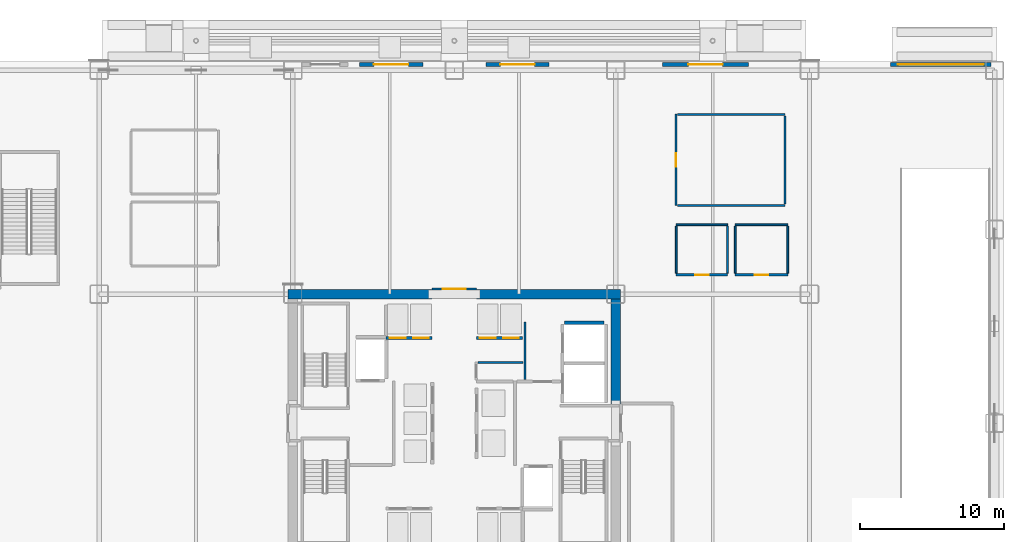
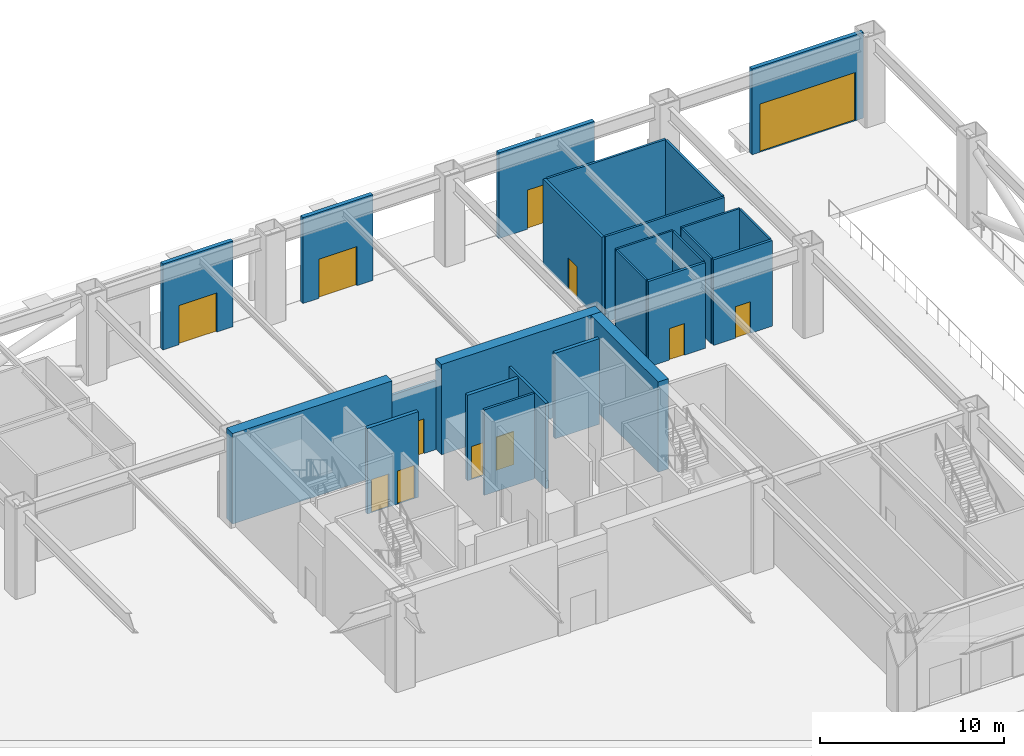
# One storey, part 11 of 17: 25 walls, 12 doors, 12 openings.
"""IFC4 building model written with IfcOpenShell, lengths in metres."""

from ifc_helpers import new_model, si_unit, direction, frame, frame_2d, origin, place, context, subcontext, project, spatial, rectangle, extrude, source, transform, mapped, material, layer, layer_set, type_object, element, fill, save


model = new_model("IFC4")

# Units and contexts
model_context = context("Model", 3, precision=1e-05, world=origin(), true_north=direction((0.0, 1.0)))
body_context = subcontext(model_context, "Body", "Model", "MODEL_VIEW")
ifc_project = project(units=[si_unit("LENGTHUNIT", "METRE"), si_unit("AREAUNIT", "SQUARE_METRE"), si_unit("VOLUMEUNIT", "CUBIC_METRE"), si_unit("PLANEANGLEUNIT", "RADIAN"), si_unit("MASSUNIT", "GRAM", prefix="KILO")], contexts=[model_context])

# Site, building, storey
site_placement = place(None, origin())
site = spatial("IfcSite", under=ifc_project, at=site_placement, CompositionType="ELEMENT")
building_placement = place(site_placement, origin())
building = spatial("IfcBuilding", under=site, at=building_placement, Name="Nefas-Gora Pilgrimage Tower", CompositionType="ELEMENT")
storey_placement = place(building_placement, origin())
storey = spatial("IfcBuildingStorey", under=building, at=storey_placement, Name="L00", CompositionType="ELEMENT", Elevation=0.0)

# Walls
ifc_material_1 = material(Name="Concrete C60/75", Category="concrete")
ifc_layer_1 = layer(ifc_material_1, 0.64990234375)
ifc_layer_set_1 = layer_set([ifc_layer_1], Name="Concrete C60/75")
wall_type_1 = type_object("IfcWallType", Name="SW-CORE-650", PredefinedType="SHEAR", material=ifc_layer_set_1)
shared_shape_1 = source(origin(), body_context, "Body", "SweptSolid", [
    extrude(rectangle(XDim=10.02490234375, YDim=0.64990234375, at=frame_2d((5.012451171875, 0.0))), origin(), (0.0, 0.0, 1.0), 6.0),
])
for number, where, z_axis, x_axis, name in (
    (1, (-11.574951171875, 9.0, 0.0), (0.0, 0.0, 1.0), (1.0, 0.0, 0.0), "L00 Core Shear Wall N-West"),
    (2, (1.550048828125, 9.0, 0.0), (0.0, 0.0, 1.0), (1.0, 0.0, 0.0), "L00 Core Shear Wall N-East"),
):
    element("IfcWall", number, at=place(storey_placement, frame(where, z_axis=z_axis, x_axis=x_axis)), inside=storey, type_object=wall_type_1, Name=name, PredefinedType="SHEAR", context=body_context, shape_type="MappedRepresentation", body=[
        mapped(shared_shape_1, transform((0.0, 0.0, 0.0), x_axis=(1.0, 0.0, 0.0), y_axis=(0.0, 1.0, 0.0), z_axis=(0.0, 0.0, 1.0), scale=1.0)),
    ])
shared_shape_2 = source(origin(), body_context, "Body", "SweptSolid", [
    extrude(rectangle(XDim=7.324951171875, YDim=0.64990234375, at=frame_2d((3.66259765625, 0.0))), origin(), (0.0, 0.0, 1.0), 6.0),
])
wall_1_placement = place(storey_placement, frame((11.25, 1.35009765625, 0.0), z_axis=(0.0, 0.0, 1.0), x_axis=(0.0, 1.0, 0.0)))
element("IfcWall", 3, at=wall_1_placement, inside=storey, type_object=wall_type_1, Name="L00 Core Shear Wall E-North", PredefinedType="SHEAR", context=body_context, shape_type="MappedRepresentation", body=[
    mapped(shared_shape_2, transform((0.0, 0.0, 0.0), x_axis=(1.0, 0.0, 0.0), y_axis=(0.0, 1.0, 0.0), z_axis=(0.0, 0.0, 1.0), scale=1.0)),
])

# Wall, opening, door
ifc_material_2 = material(Name="Precast concrete C40/50", Category="concrete")
ifc_layer_2 = layer(ifc_material_2, 0.260009765625)
ifc_layer_set_2 = layer_set([ifc_layer_2], Name="Precast concrete C40/50")
wall_type_2 = type_object("IfcWallType", Name="EW-PORTAL-260", PredefinedType="SOLIDWALL", material=ifc_layer_set_2)
shared_shape_3 = source(origin(), body_context, "Body", "SweptSolid", [
    extrude(rectangle(XDim=4.400146484375, YDim=0.260009765625, at=frame_2d((2.2001953125, 0.0))), origin(), (0.0, 0.0, 1.0), 5.699951171875),
])
wall_2_placement = place(storey_placement, frame((-6.60009765625, 25.0, 0.0), z_axis=(0.0, 0.0, 1.0), x_axis=(1.0, 0.0, 0.0)))
wall_2 = element("IfcWall", 4, at=wall_2_placement, inside=storey, type_object=wall_type_2, Name="L00 Exterior Portal Wall (ED-M1)", PredefinedType="SOLIDWALL", context=body_context, shape_type="MappedRepresentation", body=[
    mapped(shared_shape_3, transform((0.0, 0.0, 0.0), x_axis=(1.0, 0.0, 0.0), y_axis=(0.0, 1.0, 0.0), z_axis=(0.0, 0.0, 1.0), scale=1.0)),
])
opening_1_placement = place(wall_2_placement, frame((1.0, 0.0, 0.0)))
opening_1 = element("IfcOpeningElement", 5, at=opening_1_placement, cuts=wall_2, Name="Opening ED-M1", PredefinedType="OPENING", context=body_context, shape_type="SweptSolid", body=[
    extrude(rectangle(XDim=2.39990234375, YDim=2.60009765625, at=frame_2d((1.199951171875, 1.300048828125))), frame((0.0, 0.139892578125, 0.0), z_axis=(0.0, -1.0, 0.0), x_axis=(1.0, 0.0, 0.0)), (0.0, 0.0, 1.0), 0.280029296875),
])
ifc_material_3 = material(Name="Thermally broken bronze-anodised aluminium and glass", Category="aluminium")
door_type_1 = type_object("IfcDoorType", Name="DR-EXT-MAIN-2400", OperationType="DOUBLE_DOOR_SINGLE_SWING", PredefinedType="DOOR", material=ifc_material_3)
shared_shape_4 = source(origin(), body_context, "Body", "SweptSolid", [
    extrude(rectangle(XDim=2.39990234375, YDim=2.60009765625, at=frame_2d((1.199951171875, 1.300048828125))), frame((0.0, 0.02490234375, 0.0), z_axis=(0.0, -1.0, 0.0), x_axis=(1.0, 0.0, 0.0)), (0.0, 0.0, 1.0), 0.050048828125),
])
door_1_placement = place(opening_1_placement, origin())
door_1 = element("IfcDoor", 6, at=door_1_placement, inside=storey, type_object=door_type_1, Name="L00 Exterior Door ED-M1 (North Arrival Plaza Main Entrance West)", OperationType="DOUBLE_DOOR_SINGLE_SWING", OverallHeight=2.60009765625, OverallWidth=2.39990234375, PredefinedType="DOOR", context=body_context, shape_type="MappedRepresentation", body=[
    mapped(shared_shape_4, transform((0.0, 0.0, 0.0), x_axis=(1.0, 0.0, 0.0), y_axis=(0.0, 1.0, 0.0), z_axis=(0.0, 0.0, 1.0), scale=1.0)),
])
fill(opening_1, door_1)

wall_3_placement = place(storey_placement, frame((2.199951171875, 25.0, 0.0), z_axis=(0.0, 0.0, 1.0), x_axis=(1.0, 0.0, 0.0)))
wall_3 = element("IfcWall", 7, at=wall_3_placement, inside=storey, type_object=wall_type_2, Name="L00 Exterior Portal Wall (ED-M1)", PredefinedType="SOLIDWALL", context=body_context, shape_type="MappedRepresentation", body=[
    mapped(shared_shape_3, transform((0.0, 0.0, 0.0), x_axis=(1.0, 0.0, 0.0), y_axis=(0.0, 1.0, 0.0), z_axis=(0.0, 0.0, 1.0), scale=1.0)),
])
opening_2_placement = place(wall_3_placement, frame((1.0, 0.0, 0.0)))
opening_2 = element("IfcOpeningElement", 8, at=opening_2_placement, cuts=wall_3, Name="Opening ED-M1", PredefinedType="OPENING", context=body_context, shape_type="SweptSolid", body=[
    extrude(rectangle(XDim=2.39990234375, YDim=2.60009765625, at=frame_2d((1.199951171875, 1.300048828125))), frame((0.0, 0.139892578125, 0.0), z_axis=(0.0, -1.0, 0.0), x_axis=(1.0, 0.0, 0.0)), (0.0, 0.0, 1.0), 0.280029296875),
])
door_2_placement = place(opening_2_placement, origin())
door_2 = element("IfcDoor", 9, at=door_2_placement, inside=storey, type_object=door_type_1, Name="L00 Exterior Door ED-M1 (North Arrival Plaza Main Entrance East)", OperationType="DOUBLE_DOOR_SINGLE_SWING", OverallHeight=2.60009765625, OverallWidth=2.39990234375, PredefinedType="DOOR", context=body_context, shape_type="MappedRepresentation", body=[
    mapped(shared_shape_4, transform((0.0, 0.0, 0.0), x_axis=(1.0, 0.0, 0.0), y_axis=(0.0, 1.0, 0.0), z_axis=(0.0, 0.0, 1.0), scale=1.0)),
])
fill(opening_2, door_2)

shared_shape_5 = source(origin(), body_context, "Body", "SweptSolid", [
    extrude(rectangle(XDim=6.0, YDim=0.260009765625, at=frame_2d((3.0, 0.0))), origin(), (0.0, 0.0, 1.0), 5.699951171875),
])
wall_4_placement = place(storey_placement, frame((14.5, 25.0, 0.0), z_axis=(0.0, 0.0, 1.0), x_axis=(1.0, 0.0, 0.0)))
wall_4 = element("IfcWall", 10, at=wall_4_placement, inside=storey, type_object=wall_type_2, Name="L00 Exterior Portal Wall (ED-M1)", PredefinedType="SOLIDWALL", context=body_context, shape_type="MappedRepresentation", body=[
    mapped(shared_shape_5, transform((0.0, 0.0, 0.0), x_axis=(1.0, 0.0, 0.0), y_axis=(0.0, 1.0, 0.0), z_axis=(0.0, 0.0, 1.0), scale=1.0)),
])
opening_3_placement = place(wall_4_placement, frame((1.800048828125, 0.0, 0.0)))
opening_3 = element("IfcOpeningElement", 11, at=opening_3_placement, cuts=wall_4, Name="Opening ED-M1", PredefinedType="OPENING", context=body_context, shape_type="SweptSolid", body=[
    extrude(rectangle(XDim=2.39990234375, YDim=2.60009765625, at=frame_2d((1.199951171875, 1.300048828125))), frame((0.0, 0.139892578125, 0.0), z_axis=(0.0, -1.0, 0.0), x_axis=(1.0, 0.0, 0.0)), (0.0, 0.0, 1.0), 0.280029296875),
])
door_3_placement = place(opening_3_placement, origin())
door_3 = element("IfcDoor", 12, at=door_3_placement, inside=storey, type_object=door_type_1, Name="L00 Exterior Door ED-M1 (North Observation Ticketing Entrance)", OperationType="DOUBLE_DOOR_SINGLE_SWING", OverallHeight=2.60009765625, OverallWidth=2.39990234375, PredefinedType="DOOR", context=body_context, shape_type="MappedRepresentation", body=[
    mapped(shared_shape_4, transform((0.0, 0.0, 0.0), x_axis=(1.0, 0.0, 0.0), y_axis=(0.0, 1.0, 0.0), z_axis=(0.0, 0.0, 1.0), scale=1.0)),
])
fill(opening_3, door_3)

shared_shape_6 = source(origin(), body_context, "Body", "SweptSolid", [
    extrude(rectangle(XDim=7.0, YDim=0.260009765625, at=frame_2d((3.5, 0.0))), origin(), (0.0, 0.0, 1.0), 5.699951171875),
])
wall_5_placement = place(storey_placement, frame((30.39990234375, 25.0, 0.0), z_axis=(0.0, 0.0, 1.0), x_axis=(1.0, 0.0, 0.0)))
wall_5 = element("IfcWall", 13, at=wall_5_placement, inside=storey, type_object=wall_type_2, Name="L00 Exterior Portal Wall (VG-01)", PredefinedType="SOLIDWALL", context=body_context, shape_type="MappedRepresentation", body=[
    mapped(shared_shape_6, transform((0.0, 0.0, 0.0), x_axis=(1.0, 0.0, 0.0), y_axis=(0.0, 1.0, 0.0), z_axis=(0.0, 0.0, 1.0), scale=1.0)),
])
opening_4_placement = place(wall_5_placement, frame((0.5, 0.0, 0.0)))
opening_4 = element("IfcOpeningElement", 14, at=opening_4_placement, cuts=wall_5, Name="Opening VG-01", PredefinedType="OPENING", context=body_context, shape_type="SweptSolid", body=[
    extrude(rectangle(XDim=6.0, YDim=3.199951171875, at=frame_2d((3.0, 1.60009765625))), frame((0.0, 0.139892578125, 0.0), z_axis=(0.0, -1.0, 0.0), x_axis=(1.0, 0.0, 0.0)), (0.0, 0.0, 1.0), 0.280029296875),
])
ifc_material_4 = material(Name="Insulated motorised steel roller shutter", Category="steel")
door_type_2 = type_object("IfcDoorType", Name="DR-EXT-SHUTTER-6000", OperationType="ROLLINGUP", PredefinedType="GATE", material=ifc_material_4)
shared_shape_7 = source(origin(), body_context, "Body", "SweptSolid", [
    extrude(rectangle(XDim=6.0, YDim=3.199951171875, at=frame_2d((3.0, 1.60009765625))), frame((0.0, 0.02490234375, 0.0), z_axis=(0.0, -1.0, 0.0), x_axis=(1.0, 0.0, 0.0)), (0.0, 0.0, 1.0), 0.050048828125),
])
door_4_placement = place(opening_4_placement, origin())
door_4 = element("IfcDoor", 15, at=door_4_placement, inside=storey, type_object=door_type_2, Name="L00 Exterior Door VG-01 (North-East Car Park Ramp Driveway Apron)", OperationType="ROLLINGUP", OverallHeight=3.199951171875, OverallWidth=6.0, PredefinedType="GATE", context=body_context, shape_type="MappedRepresentation", body=[
    mapped(shared_shape_7, transform((0.0, 0.0, 0.0), x_axis=(1.0, 0.0, 0.0), y_axis=(0.0, 1.0, 0.0), z_axis=(0.0, 0.0, 1.0), scale=1.0)),
])
fill(opening_4, door_4)

# Wall
ifc_material_5 = material(Name="Concrete C40/50", Category="concrete")
ifc_layer_3 = layer(ifc_material_5, 0.219970703125)
ifc_layer_set_3 = layer_set([ifc_layer_3], Name="Concrete C40/50")
wall_type_3 = type_object("IfcWallType", Name="IW-SHAFT-220", PredefinedType="SOLIDWALL", material=ifc_layer_set_3)
shared_shape_8 = source(origin(), body_context, "Body", "SweptSolid", [
    extrude(rectangle(XDim=2.780029296875, YDim=0.219970703125, at=frame_2d((1.39013671875, 0.0))), origin(), (0.0, 0.0, 1.0), 5.68505859375),
])
wall_6_placement = place(storey_placement, frame((10.43994140625, 7.010009765625, 0.0), z_axis=(0.0, 0.0, 1.0), x_axis=(-1.0, 0.0, 0.0)))
element("IfcWall", 16, at=wall_6_placement, inside=storey, type_object=wall_type_3, Name="L00 Hoistway Wall SL-02-N", PredefinedType="SOLIDWALL", context=body_context, shape_type="MappedRepresentation", body=[
    mapped(shared_shape_8, transform((0.0, 0.0, 0.0), x_axis=(1.0, 0.0, 0.0), y_axis=(0.0, 1.0, 0.0), z_axis=(0.0, 0.0, 1.0), scale=1.0)),
])

# Wall, openings, doors
shared_shape_9 = source(origin(), body_context, "Body", "SweptSolid", [
    extrude(rectangle(XDim=3.199951171875, YDim=0.219970703125, at=frame_2d((1.60009765625, 0.0))), origin(), (0.0, 0.0, 1.0), 5.68505859375),
])
wall_7_placement = place(storey_placement, frame((-4.75, 5.93994140625, 0.0), z_axis=(0.0, 0.0, 1.0), x_axis=(1.0, 0.0, 0.0)))
wall_7 = element("IfcWall", 17, at=wall_7_placement, inside=storey, type_object=wall_type_3, Name="L00 Hoistway Wall PL1-W-S", PredefinedType="SOLIDWALL", context=body_context, shape_type="MappedRepresentation", body=[
    mapped(shared_shape_9, transform((0.0, 0.0, 0.0), x_axis=(1.0, 0.0, 0.0), y_axis=(0.0, 1.0, 0.0), z_axis=(0.0, 0.0, 1.0), scale=1.0)),
])
opening_5_placement = place(wall_7_placement, frame((0.25, 0.0, 0.0)))
opening_5 = element("IfcOpeningElement", 18, at=opening_5_placement, cuts=wall_7, Name="Opening LD-01", PredefinedType="OPENING", context=body_context, shape_type="SweptSolid", body=[
    extrude(rectangle(XDim=1.10009765625, YDim=2.199951171875, at=frame_2d((0.550048828125, 1.10009765625))), frame((0.0, 0.119873046875, 0.0), z_axis=(0.0, -1.0, 0.0), x_axis=(1.0, 0.0, 0.0)), (0.0, 0.0, 1.0), 0.239990234375),
])
opening_6_placement = place(wall_7_placement, frame((1.875, 0.0, 0.0)))
opening_6 = element("IfcOpeningElement", 19, at=opening_6_placement, cuts=wall_7, Name="Opening LD-01", PredefinedType="OPENING", context=body_context, shape_type="SweptSolid", body=[
    extrude(rectangle(XDim=1.10009765625, YDim=2.199951171875, at=frame_2d((0.550048828125, 1.10009765625))), frame((0.0, 0.119873046875, 0.0), z_axis=(0.0, -1.0, 0.0), x_axis=(1.0, 0.0, 0.0)), (0.0, 0.0, 1.0), 0.239990234375),
])
ifc_material_6 = material(Name="Brushed stainless sliding lift landing door")
door_type_3 = type_object("IfcDoorType", Name="DR-LIFT-PASS-1100", OperationType="DOUBLE_DOOR_SLIDING", PredefinedType="DOOR", material=ifc_material_6)
shared_shape_10 = source(origin(), body_context, "Body", "SweptSolid", [
    extrude(rectangle(XDim=1.10009765625, YDim=2.199951171875, at=frame_2d((0.550048828125, 1.10009765625))), frame((0.0, 0.02490234375, 0.0), z_axis=(0.0, -1.0, 0.0), x_axis=(1.0, 0.0, 0.0)), (0.0, 0.0, 1.0), 0.050048828125),
])
door_5_placement = place(opening_5_placement, origin())
door_5 = element("IfcDoor", 20, at=door_5_placement, inside=storey, type_object=door_type_3, Name="L00 Sliding Lift Landing Door PL1-01", OperationType="DOUBLE_DOOR_SLIDING", OverallHeight=2.199951171875, OverallWidth=1.10009765625, PredefinedType="DOOR", context=body_context, shape_type="MappedRepresentation", body=[
    mapped(shared_shape_10, transform((0.0, 0.0, 0.0), x_axis=(1.0, 0.0, 0.0), y_axis=(0.0, 1.0, 0.0), z_axis=(0.0, 0.0, 1.0), scale=1.0)),
])
fill(opening_5, door_5)
door_6_placement = place(opening_6_placement, origin())
door_6 = element("IfcDoor", 21, at=door_6_placement, inside=storey, type_object=door_type_3, Name="L00 Sliding Lift Landing Door PL1-02", OperationType="DOUBLE_DOOR_SLIDING", OverallHeight=2.199951171875, OverallWidth=1.10009765625, PredefinedType="DOOR", context=body_context, shape_type="MappedRepresentation", body=[
    mapped(shared_shape_10, transform((0.0, 0.0, 0.0), x_axis=(1.0, 0.0, 0.0), y_axis=(0.0, 1.0, 0.0), z_axis=(0.0, 0.0, 1.0), scale=1.0)),
])
fill(opening_6, door_6)

wall_8_placement = place(storey_placement, frame((1.550048828125, 5.93994140625, 0.0), z_axis=(0.0, 0.0, 1.0), x_axis=(1.0, 0.0, 0.0)))
wall_8 = element("IfcWall", 22, at=wall_8_placement, inside=storey, type_object=wall_type_3, Name="L00 Hoistway Wall PL1-E-S", PredefinedType="SOLIDWALL", context=body_context, shape_type="MappedRepresentation", body=[
    mapped(shared_shape_9, transform((0.0, 0.0, 0.0), x_axis=(1.0, 0.0, 0.0), y_axis=(0.0, 1.0, 0.0), z_axis=(0.0, 0.0, 1.0), scale=1.0)),
])
opening_7_placement = place(wall_8_placement, frame((0.22509765625, 0.0, 0.0)))
opening_7 = element("IfcOpeningElement", 23, at=opening_7_placement, cuts=wall_8, Name="Opening LD-01", PredefinedType="OPENING", context=body_context, shape_type="SweptSolid", body=[
    extrude(rectangle(XDim=1.10009765625, YDim=2.199951171875, at=frame_2d((0.550048828125, 1.10009765625))), frame((0.0, 0.119873046875, 0.0), z_axis=(0.0, -1.0, 0.0), x_axis=(1.0, 0.0, 0.0)), (0.0, 0.0, 1.0), 0.239990234375),
])
opening_8_placement = place(wall_8_placement, frame((1.85009765625, 0.0, 0.0)))
opening_8 = element("IfcOpeningElement", 24, at=opening_8_placement, cuts=wall_8, Name="Opening LD-01", PredefinedType="OPENING", context=body_context, shape_type="SweptSolid", body=[
    extrude(rectangle(XDim=1.10009765625, YDim=2.199951171875, at=frame_2d((0.550048828125, 1.10009765625))), frame((0.0, 0.119873046875, 0.0), z_axis=(0.0, -1.0, 0.0), x_axis=(1.0, 0.0, 0.0)), (0.0, 0.0, 1.0), 0.239990234375),
])
door_7_placement = place(opening_7_placement, origin())
door_7 = element("IfcDoor", 25, at=door_7_placement, inside=storey, type_object=door_type_3, Name="L00 Sliding Lift Landing Door PL1-03", OperationType="DOUBLE_DOOR_SLIDING", OverallHeight=2.199951171875, OverallWidth=1.10009765625, PredefinedType="DOOR", context=body_context, shape_type="MappedRepresentation", body=[
    mapped(shared_shape_10, transform((0.0, 0.0, 0.0), x_axis=(1.0, 0.0, 0.0), y_axis=(0.0, 1.0, 0.0), z_axis=(0.0, 0.0, 1.0), scale=1.0)),
])
fill(opening_7, door_7)
door_8_placement = place(opening_8_placement, origin())
door_8 = element("IfcDoor", 26, at=door_8_placement, inside=storey, type_object=door_type_3, Name="L00 Sliding Lift Landing Door PL1-04", OperationType="DOUBLE_DOOR_SLIDING", OverallHeight=2.199951171875, OverallWidth=1.10009765625, PredefinedType="DOOR", context=body_context, shape_type="MappedRepresentation", body=[
    mapped(shared_shape_10, transform((0.0, 0.0, 0.0), x_axis=(1.0, 0.0, 0.0), y_axis=(0.0, 1.0, 0.0), z_axis=(0.0, 0.0, 1.0), scale=1.0)),
])
fill(opening_8, door_8)

# Wall, opening, door
ifc_material_7 = material(Name="Gypsum acoustic stud partition")
ifc_layer_4 = layer(ifc_material_7, 0.159912109375)
ifc_layer_set_4 = layer_set([ifc_layer_4], Name="Gypsum acoustic stud partition")
wall_type_4 = type_object("IfcWallType", Name="IW-CORR-160", PredefinedType="PARTITIONING", material=ifc_layer_set_4)
shared_shape_11 = source(origin(), body_context, "Body", "SweptSolid", [
    extrude(rectangle(XDim=3.08984375, YDim=0.159912109375, at=frame_2d((1.544921875, 0.0))), origin(), (0.0, 0.0, 1.0), 4.574951171875),
])
wall_9_placement = place(storey_placement, frame((-1.544921875, 9.35009765625, 0.0), z_axis=(0.0, 0.0, 1.0), x_axis=(1.0, 0.0, 0.0)))
wall_9 = element("IfcWall", 27, at=wall_9_placement, inside=storey, type_object=wall_type_4, Name="L00 Central Lift Lobby North Portal Wall 16", PredefinedType="PARTITIONING", context=body_context, shape_type="MappedRepresentation", body=[
    mapped(shared_shape_11, transform((0.0, 0.0, 0.0), x_axis=(1.0, 0.0, 0.0), y_axis=(0.0, 1.0, 0.0), z_axis=(0.0, 0.0, 1.0), scale=1.0)),
])
opening_9_placement = place(wall_9_placement, frame((0.7451171875, 0.0, 0.0)))
opening_9 = element("IfcOpeningElement", 28, at=opening_9_placement, cuts=wall_9, Name="Opening ID-HL1", PredefinedType="OPENING", context=body_context, shape_type="SweptSolid", body=[
    extrude(rectangle(XDim=1.60009765625, YDim=2.300048828125, at=frame_2d((0.800048828125, 1.14990234375))), frame((0.0, 0.08984375, 0.0), z_axis=(0.0, -1.0, 0.0), x_axis=(1.0, 0.0, 0.0)), (0.0, 0.0, 1.0), 0.179931640625),
])
ifc_material_8 = material(Name="Double acoustic timber assembly hall door", Category="wood")
door_type_4 = type_object("IfcDoorType", Name="DR-INT-HALL-1600", OperationType="DOUBLE_DOOR_SINGLE_SWING", PredefinedType="DOOR", material=ifc_material_8)
shared_shape_12 = source(origin(), body_context, "Body", "SweptSolid", [
    extrude(rectangle(XDim=1.60009765625, YDim=2.300048828125, at=frame_2d((0.800048828125, 1.14990234375))), frame((0.0, 0.02490234375, 0.0), z_axis=(0.0, -1.0, 0.0), x_axis=(1.0, 0.0, 0.0)), (0.0, 0.0, 1.0), 0.050048828125),
])
door_9_placement = place(opening_9_placement, origin())
door_9 = element("IfcDoor", 29, at=door_9_placement, inside=storey, type_object=door_type_4, Name="L00 Central Lift Lobby North Portal Door 4", OperationType="DOUBLE_DOOR_SINGLE_SWING", OverallHeight=2.300048828125, OverallWidth=1.60009765625, PredefinedType="DOOR", context=body_context, shape_type="MappedRepresentation", body=[
    mapped(shared_shape_12, transform((0.0, 0.0, 0.0), x_axis=(1.0, 0.0, 0.0), y_axis=(0.0, 1.0, 0.0), z_axis=(0.0, 0.0, 1.0), scale=1.0)),
])
fill(opening_9, door_9)

# Walls
shared_shape_13 = source(origin(), body_context, "Body", "SweptSolid", [
    extrude(rectangle(XDim=4.010009765625, YDim=0.159912109375, at=frame_2d((2.0048828125, 0.0))), origin(), (0.0, 0.0, 1.0), 5.68505859375),
])
wall_10_placement = place(storey_placement, frame((4.919921875, 3.0400390625, 0.0), z_axis=(0.0, 0.0, 1.0), x_axis=(0.0, 1.0, 0.0)))
element("IfcWall", 30, at=wall_10_placement, inside=storey, type_object=wall_type_4, Name="L00 Service Lift Lobby West Wall Wall 18", PredefinedType="PARTITIONING", context=body_context, shape_type="MappedRepresentation", body=[
    mapped(shared_shape_13, transform((0.0, 0.0, 0.0), x_axis=(1.0, 0.0, 0.0), y_axis=(0.0, 1.0, 0.0), z_axis=(0.0, 0.0, 1.0), scale=1.0)),
])
ifc_material_9 = material(Name="Gypsum twin-stud partition")
ifc_layer_5 = layer(ifc_material_9, 0.139892578125)
ifc_layer_set_5 = layer_set([ifc_layer_5], Name="Gypsum twin-stud partition")
wall_type_5 = type_object("IfcWallType", Name="IW-UNIT-140", PredefinedType="PARTITIONING", material=ifc_layer_set_5)
shared_shape_14 = source(origin(), body_context, "Body", "SweptSolid", [
    extrude(rectangle(XDim=3.150146484375, YDim=0.139892578125, at=frame_2d((1.5751953125, 0.0))), origin(), (0.0, 0.0, 1.0), 5.68505859375),
])
wall_11_placement = place(storey_placement, frame((1.639892578125, 4.25, 0.0), z_axis=(0.0, 0.0, 1.0), x_axis=(1.0, 0.0, 0.0)))
element("IfcWall", 31, at=wall_11_placement, inside=storey, type_object=wall_type_5, Name="L00 Core Communications Room Partition Wall 37", PredefinedType="PARTITIONING", context=body_context, shape_type="MappedRepresentation", body=[
    mapped(shared_shape_14, transform((0.0, 0.0, 0.0), x_axis=(1.0, 0.0, 0.0), y_axis=(0.0, 1.0, 0.0), z_axis=(0.0, 0.0, 1.0), scale=1.0)),
])

# Wall, opening, door
shared_shape_15 = source(origin(), body_context, "Body", "SweptSolid", [
    extrude(rectangle(XDim=6.380126953125, YDim=0.159912109375, at=frame_2d((3.18994140625, 0.0))), origin(), (0.0, 0.0, 1.0), 5.68505859375),
])
wall_12_placement = place(storey_placement, frame((15.43994140625, 15.159912109375, 0.0), z_axis=(0.0, 0.0, 1.0), x_axis=(0.0, 1.0, 0.0)))
wall_12 = element("IfcWall", 32, at=wall_12_placement, inside=storey, type_object=wall_type_4, Name="L00 Observation Lookout Ticketing Foyer Wall 46", PredefinedType="PARTITIONING", context=body_context, shape_type="MappedRepresentation", body=[
    mapped(shared_shape_15, transform((0.0, 0.0, 0.0), x_axis=(1.0, 0.0, 0.0), y_axis=(0.0, 1.0, 0.0), z_axis=(0.0, 0.0, 1.0), scale=1.0)),
])
opening_10_placement = place(wall_12_placement, frame((2.715087890625, 0.0, 0.0)))
opening_10 = element("IfcOpeningElement", 33, at=opening_10_placement, cuts=wall_12, Name="Opening ID-GR1", PredefinedType="OPENING", context=body_context, shape_type="SweptSolid", body=[
    extrude(rectangle(XDim=0.949951171875, YDim=2.10009765625, at=frame_2d((0.47509765625, 1.050048828125))), frame((0.0, 0.08984375, 0.0), z_axis=(0.0, -1.0, 0.0), x_axis=(1.0, 0.0, 0.0)), (0.0, 0.0, 1.0), 0.179931640625),
])
ifc_material_10 = material(Name="Solid core oak fire-rated guest entrance door")
door_type_5 = type_object("IfcDoorType", Name="DR-INT-GUEST-950", OperationType="NOTDEFINED", PredefinedType="DOOR", material=ifc_material_10)
shared_shape_16 = source(origin(), body_context, "Body", "SweptSolid", [
    extrude(rectangle(XDim=0.949951171875, YDim=2.10009765625, at=frame_2d((0.47509765625, 1.050048828125))), frame((0.0, 0.02490234375, 0.0), z_axis=(0.0, -1.0, 0.0), x_axis=(1.0, 0.0, 0.0)), (0.0, 0.0, 1.0), 0.050048828125),
])
door_10_placement = place(opening_10_placement, origin())
door_10 = element("IfcDoor", 34, at=door_10_placement, inside=storey, type_object=door_type_5, Name="L00 Observation Lookout Ticketing Foyer Door 9", OperationType="SINGLE_SWING_RIGHT", OverallHeight=2.10009765625, OverallWidth=0.949951171875, PredefinedType="DOOR", context=body_context, shape_type="MappedRepresentation", body=[
    mapped(shared_shape_16, transform((0.0, 0.0, 0.0), x_axis=(1.0, 0.0, 0.0), y_axis=(0.0, 1.0, 0.0), z_axis=(0.0, 0.0, 1.0), scale=1.0)),
])
fill(opening_10, door_10)

# Walls
shared_shape_17 = source(origin(), body_context, "Body", "SweptSolid", [
    extrude(rectangle(XDim=7.47998046875, YDim=0.139892578125, at=frame_2d((3.739990234375, 0.0))), origin(), (0.0, 0.0, 1.0), 5.68505859375),
])
for number, where, z_axis, x_axis, name in (
    (35, (15.56005859375, 15.169921875, 0.0), (0.0, 0.0, 1.0), (1.0, 0.0, 0.0), "L00 Observation Lookout Ticketing Foyer Partition Wall 47"),
    (36, (15.56005859375, 21.530029296875, 0.0), (0.0, 0.0, 1.0), (1.0, 0.0, 0.0), "L00 Observation Lookout Ticketing Foyer Partition Wall 48"),
):
    element("IfcWall", number, at=place(storey_placement, frame(where, z_axis=z_axis, x_axis=x_axis)), inside=storey, type_object=wall_type_5, Name=name, PredefinedType="PARTITIONING", context=body_context, shape_type="MappedRepresentation", body=[
        mapped(shared_shape_17, transform((0.0, 0.0, 0.0), x_axis=(1.0, 0.0, 0.0), y_axis=(0.0, 1.0, 0.0), z_axis=(0.0, 0.0, 1.0), scale=1.0)),
    ])
shared_shape_18 = source(origin(), body_context, "Body", "SweptSolid", [
    extrude(rectangle(XDim=6.139892578125, YDim=0.139892578125, at=frame_2d((3.06982421875, 0.0))), origin(), (0.0, 0.0, 1.0), 5.68505859375),
])
wall_13_placement = place(storey_placement, frame((23.030029296875, 15.280029296875, 0.0), z_axis=(0.0, 0.0, 1.0), x_axis=(0.0, 1.0, 0.0)))
element("IfcWall", 37, at=wall_13_placement, inside=storey, type_object=wall_type_5, Name="L00 Observation Lookout Ticketing Foyer Partition Wall 49", PredefinedType="PARTITIONING", context=body_context, shape_type="MappedRepresentation", body=[
    mapped(shared_shape_18, transform((0.0, 0.0, 0.0), x_axis=(1.0, 0.0, 0.0), y_axis=(0.0, 1.0, 0.0), z_axis=(0.0, 0.0, 1.0), scale=1.0)),
])

# Wall, opening, door
shared_shape_19 = source(origin(), body_context, "Body", "SweptSolid", [
    extrude(rectangle(XDim=3.580078125, YDim=0.159912109375, at=frame_2d((1.7900390625, 0.0))), origin(), (0.0, 0.0, 1.0), 5.68505859375),
])
wall_14_placement = place(storey_placement, frame((15.4599609375, 10.340087890625, 0.0), z_axis=(0.0, 0.0, 1.0), x_axis=(1.0, 0.0, 0.0)))
wall_14 = element("IfcWall", 38, at=wall_14_placement, inside=storey, type_object=wall_type_4, Name="L00 Ground Concourse Accessible WC Wall 50", PredefinedType="PARTITIONING", context=body_context, shape_type="MappedRepresentation", body=[
    mapped(shared_shape_19, transform((0.0, 0.0, 0.0), x_axis=(1.0, 0.0, 0.0), y_axis=(0.0, 1.0, 0.0), z_axis=(0.0, 0.0, 1.0), scale=1.0)),
])
opening_11_placement = place(wall_14_placement, frame((1.31494140625, 0.0, 0.0)))
opening_11 = element("IfcOpeningElement", 39, at=opening_11_placement, cuts=wall_14, Name="Opening ID-GR1", PredefinedType="OPENING", context=body_context, shape_type="SweptSolid", body=[
    extrude(rectangle(XDim=0.949951171875, YDim=2.10009765625, at=frame_2d((0.47509765625, 1.050048828125))), frame((0.0, 0.08984375, 0.0), z_axis=(0.0, -1.0, 0.0), x_axis=(1.0, 0.0, 0.0)), (0.0, 0.0, 1.0), 0.179931640625),
])
door_11_placement = place(opening_11_placement, origin())
door_11 = element("IfcDoor", 40, at=door_11_placement, inside=storey, type_object=door_type_5, Name="L00 Ground Concourse Accessible WC Door 10", OperationType="SINGLE_SWING_LEFT", OverallHeight=2.10009765625, OverallWidth=0.949951171875, PredefinedType="DOOR", context=body_context, shape_type="MappedRepresentation", body=[
    mapped(shared_shape_16, transform((0.0, 0.0, 0.0), x_axis=(1.0, 0.0, 0.0), y_axis=(0.0, 1.0, 0.0), z_axis=(0.0, 0.0, 1.0), scale=1.0)),
])
fill(opening_11, door_11)

# Walls
ifc_material_11 = material(Name="Moisture-resistant fire-rated gypsum partition")
ifc_layer_6 = layer(ifc_material_11, 0.1201171875)
ifc_layer_set_6 = layer_set([ifc_layer_6], Name="Moisture-resistant fire-rated gypsum partition")
wall_type_6 = type_object("IfcWallType", Name="IW-WET-120", PredefinedType="PLUMBINGWALL", material=ifc_layer_set_6)
shared_shape_20 = source(origin(), body_context, "Body", "SweptSolid", [
    extrude(rectangle(XDim=3.580078125, YDim=0.1201171875, at=frame_2d((1.7900390625, 0.0))), origin(), (0.0, 0.0, 1.0), 5.68505859375),
])
wall_15_placement = place(storey_placement, frame((15.4599609375, 13.830078125, 0.0), z_axis=(0.0, 0.0, 1.0), x_axis=(1.0, 0.0, 0.0)))
element("IfcWall", 41, at=wall_15_placement, inside=storey, type_object=wall_type_6, Name="L00 Ground Concourse Accessible WC Partition Wall 51", PredefinedType="PLUMBINGWALL", context=body_context, shape_type="MappedRepresentation", body=[
    mapped(shared_shape_20, transform((0.0, 0.0, 0.0), x_axis=(1.0, 0.0, 0.0), y_axis=(0.0, 1.0, 0.0), z_axis=(0.0, 0.0, 1.0), scale=1.0)),
])
shared_shape_21 = source(origin(), body_context, "Body", "SweptSolid", [
    extrude(rectangle(XDim=3.27001953125, YDim=0.1201171875, at=frame_2d((1.635009765625, 0.0))), origin(), (0.0, 0.0, 1.0), 5.68505859375),
])
for number, where, z_axis, x_axis, name in (
    (42, (19.030029296875, 10.4599609375, 0.0), (0.0, 0.0, 1.0), (0.0, 1.0, 0.0), "L00 Ground Concourse Accessible WC Partition Wall 52"),
    (43, (15.469970703125, 10.4599609375, 0.0), (0.0, 0.0, 1.0), (0.0, 1.0, 0.0), "L00 Ground Concourse Accessible WC Partition Wall 53"),
    (44, (23.22998046875, 10.4599609375, 0.0), (0.0, 0.0, 1.0), (0.0, 1.0, 0.0), "L00 Ground Concourse Public WC Partition Wall 56"),
    (45, (19.570068359375, 10.4599609375, 0.0), (0.0, 0.0, 1.0), (0.0, 1.0, 0.0), "L00 Ground Concourse Public WC Partition Wall 57"),
):
    element("IfcWall", number, at=place(storey_placement, frame(where, z_axis=z_axis, x_axis=x_axis)), inside=storey, type_object=wall_type_6, Name=name, PredefinedType="PLUMBINGWALL", context=body_context, shape_type="MappedRepresentation", body=[
        mapped(shared_shape_21, transform((0.0, 0.0, 0.0), x_axis=(1.0, 0.0, 0.0), y_axis=(0.0, 1.0, 0.0), z_axis=(0.0, 0.0, 1.0), scale=1.0)),
    ])

# Wall, opening, door
shared_shape_22 = source(origin(), body_context, "Body", "SweptSolid", [
    extrude(rectangle(XDim=3.679931640625, YDim=0.159912109375, at=frame_2d((1.83984375, 0.0))), origin(), (0.0, 0.0, 1.0), 5.68505859375),
])
wall_16_placement = place(storey_placement, frame((19.56005859375, 10.340087890625, 0.0), z_axis=(0.0, 0.0, 1.0), x_axis=(1.0, 0.0, 0.0)))
wall_16 = element("IfcWall", 46, at=wall_16_placement, inside=storey, type_object=wall_type_4, Name="L00 Ground Concourse Public WC Wall 54", PredefinedType="PARTITIONING", context=body_context, shape_type="MappedRepresentation", body=[
    mapped(shared_shape_22, transform((0.0, 0.0, 0.0), x_axis=(1.0, 0.0, 0.0), y_axis=(0.0, 1.0, 0.0), z_axis=(0.0, 0.0, 1.0), scale=1.0)),
])
opening_12_placement = place(wall_16_placement, frame((1.364990234375, 0.0, 0.0)))
opening_12 = element("IfcOpeningElement", 47, at=opening_12_placement, cuts=wall_16, Name="Opening ID-GR1", PredefinedType="OPENING", context=body_context, shape_type="SweptSolid", body=[
    extrude(rectangle(XDim=0.949951171875, YDim=2.10009765625, at=frame_2d((0.47509765625, 1.050048828125))), frame((0.0, 0.08984375, 0.0), z_axis=(0.0, -1.0, 0.0), x_axis=(1.0, 0.0, 0.0)), (0.0, 0.0, 1.0), 0.179931640625),
])
door_12_placement = place(opening_12_placement, origin())
door_12 = element("IfcDoor", 48, at=door_12_placement, inside=storey, type_object=door_type_5, Name="L00 Ground Concourse Public WC Door 11", OperationType="SINGLE_SWING_RIGHT", OverallHeight=2.10009765625, OverallWidth=0.949951171875, PredefinedType="DOOR", context=body_context, shape_type="MappedRepresentation", body=[
    mapped(shared_shape_16, transform((0.0, 0.0, 0.0), x_axis=(1.0, 0.0, 0.0), y_axis=(0.0, 1.0, 0.0), z_axis=(0.0, 0.0, 1.0), scale=1.0)),
])
fill(opening_12, door_12)

# Wall
shared_shape_23 = source(origin(), body_context, "Body", "SweptSolid", [
    extrude(rectangle(XDim=3.679931640625, YDim=0.1201171875, at=frame_2d((1.83984375, 0.0))), origin(), (0.0, 0.0, 1.0), 5.68505859375),
])
wall_17_placement = place(storey_placement, frame((19.56005859375, 13.830078125, 0.0), z_axis=(0.0, 0.0, 1.0), x_axis=(1.0, 0.0, 0.0)))
element("IfcWall", 49, at=wall_17_placement, inside=storey, type_object=wall_type_6, Name="L00 Ground Concourse Public WC Partition Wall 55", PredefinedType="PLUMBINGWALL", context=body_context, shape_type="MappedRepresentation", body=[
    mapped(shared_shape_23, transform((0.0, 0.0, 0.0), x_axis=(1.0, 0.0, 0.0), y_axis=(0.0, 1.0, 0.0), z_axis=(0.0, 0.0, 1.0), scale=1.0)),
])

save(model, "model.ifc")
